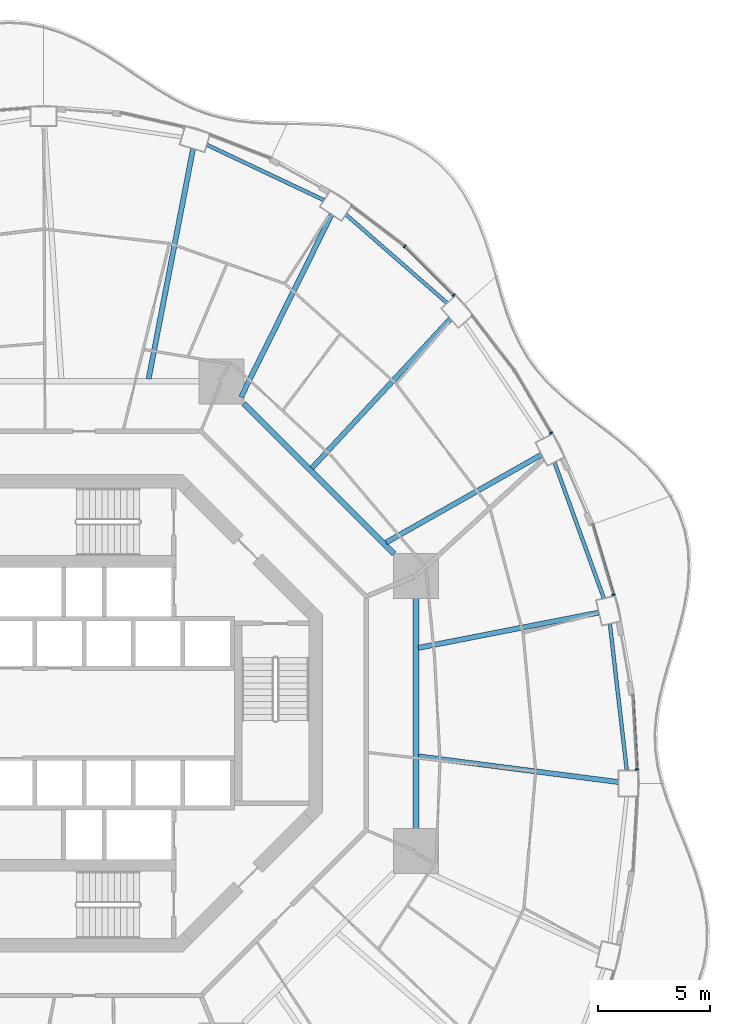
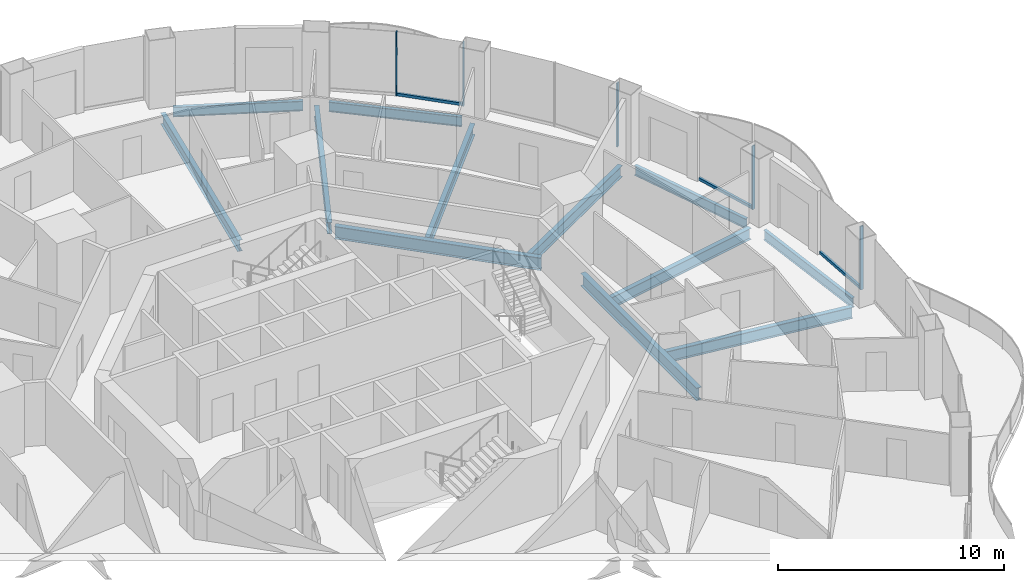
# One storey, part 9 of 21: 12 beams, 8 members, 5 elements without a shape of their own.
"""IFC4 building model written with IfcOpenShell, lengths in metres."""

from ifc_helpers import new_model, si_unit, direction, frame, origin, origin_2d, place, context, subcontext, project, spatial, rectangle, i_section, extrude, material, layer, layer_set, material_profile, profile_set, type_object, element, aggregate, save


model = new_model("IFC4")

# Units and contexts
model_context = context("Model", 3, precision=1e-05, world=origin(), true_north=direction((0.0, 1.0)))
body_context = subcontext(model_context, "Body", "Model", "MODEL_VIEW")
ifc_project = project(units=[si_unit("LENGTHUNIT", "METRE"), si_unit("AREAUNIT", "SQUARE_METRE"), si_unit("VOLUMEUNIT", "CUBIC_METRE"), si_unit("PLANEANGLEUNIT", "RADIAN"), si_unit("MASSUNIT", "GRAM", prefix="KILO")], contexts=[model_context])

# Site, building, storey
site_placement = place(None, origin())
site = spatial("IfcSite", under=ifc_project, at=site_placement, CompositionType="ELEMENT")
building_placement = place(site_placement, origin())
building = spatial("IfcBuilding", under=site, at=building_placement, Name="Nagisa Residences", CompositionType="ELEMENT")
storey_placement = place(building_placement, frame((0.0, 0.0, 134.39990234375)))
storey = spatial("IfcBuildingStorey", under=building, at=storey_placement, Name="L33", CompositionType="ELEMENT", Elevation=134.39990234375)

# Curtain wall, member
ifc_material_1 = material(Name="Concrete-coloured aluminium curtain wall system", Category="concrete")
ifc_layer = layer(ifc_material_1, 0.159912109375)
ifc_layer_set = layer_set([ifc_layer], Name="CW1 CURTAIN WALL")
curtain_wall_type = type_object("IfcCurtainWallType", Name="CW1 CURTAIN WALL", PredefinedType="NOTDEFINED", material=ifc_layer_set)
curtain_wall_1_placement = place(storey_placement, origin())
curtain_wall_1 = element("IfcCurtainWall", 1, at=curtain_wall_1_placement, inside=storey, type_object=curtain_wall_type, Name="cw:CW1:L33:00", PredefinedType="NOTDEFINED")
ifc_material_2 = material(Name="Concrete-coloured aluminium", Category="concrete")
ifc_material_profile_1 = material_profile(ifc_material_2, rectangle(XDim=0.159912109375, YDim=0.06005859375, at=origin_2d()), Name="CW1 MULLION 160x60")
ifc_profile_set_1 = profile_set([ifc_material_profile_1], Name="Concrete-coloured aluminium")
member_type_1 = type_object("IfcMemberType", Name="CW1 MULLION 160x60", PredefinedType="MULLION", material=ifc_profile_set_1)
member_1_placement = place(storey_placement, frame((24.618896484375, -2.493408203125, 0.0), z_axis=(0.0, 0.0, 1.0), x_axis=(-0.998345305184, -0.057503492216, 0.0)))
member_1 = element("IfcMember", 2, at=member_1_placement, type_object=member_type_1, Name="CW1 mullion", PredefinedType="MULLION", context=body_context, shape_type="SweptSolid", body=[
    extrude(rectangle(XDim=0.159912109375, YDim=0.06005859375, at=origin_2d()), origin(), (0.0, 0.0, 1.0), 3.440185546875),
])

curtain_wall_2_placement = place(storey_placement, origin())
curtain_wall_2 = element("IfcCurtainWall", 3, at=curtain_wall_2_placement, inside=storey, type_object=curtain_wall_type, Name="cw:CW1:L33:02", PredefinedType="NOTDEFINED")
member_2_placement = place(storey_placement, frame((23.573974609375, 5.278076171875, 0.0), z_axis=(0.0, 0.0, 1.0), x_axis=(-0.958271310082, -0.285860274038, 0.0)))
member_2 = element("IfcMember", 4, at=member_2_placement, type_object=member_type_1, Name="CW1 mullion", PredefinedType="MULLION", context=body_context, shape_type="SweptSolid", body=[
    extrude(rectangle(XDim=0.159912109375, YDim=0.06005859375, at=origin_2d()), origin(), (0.0, 0.0, 1.0), 3.440185546875),
])

curtain_wall_3_placement = place(storey_placement, origin())
curtain_wall_3 = element("IfcCurtainWall", 5, at=curtain_wall_3_placement, inside=storey, type_object=curtain_wall_type, Name="cw:CW1:L33:04", PredefinedType="NOTDEFINED")
member_3_placement = place(storey_placement, frame((20.7919921875, 12.482666015625, 0.0), z_axis=(0.0, 0.0, 1.0), x_axis=(-0.862328898214, -0.506348567002, 0.0)))
member_3 = element("IfcMember", 6, at=member_3_placement, type_object=member_type_1, Name="CW1 mullion", PredefinedType="MULLION", context=body_context, shape_type="SweptSolid", body=[
    extrude(rectangle(XDim=0.159912109375, YDim=0.06005859375, at=origin_2d()), origin(), (0.0, 0.0, 1.0), 3.440185546875),
])
aggregate(curtain_wall_3, [member_3])

curtain_wall_4_placement = place(storey_placement, origin())
curtain_wall_4 = element("IfcCurtainWall", 7, at=curtain_wall_4_placement, inside=storey, type_object=curtain_wall_type, Name="cw:CW1:L33:06", PredefinedType="NOTDEFINED")
member_4_placement = place(storey_placement, frame((16.460693359375, 18.621826171875, 0.0), z_axis=(0.0, 0.0, 1.0), x_axis=(-0.706376885714, -0.707835924016, 0.0)))
member_4 = element("IfcMember", 8, at=member_4_placement, type_object=member_type_1, Name="CW1 mullion", PredefinedType="MULLION", context=body_context, shape_type="SweptSolid", body=[
    extrude(rectangle(XDim=0.159912109375, YDim=0.06005859375, at=origin_2d()), origin(), (0.0, 0.0, 1.0), 3.440185546875),
])

curtain_wall_5_placement = place(storey_placement, origin())
curtain_wall_5 = element("IfcCurtainWall", 9, at=curtain_wall_5_placement, inside=storey, type_object=curtain_wall_type, Name="cw:CW1:L33:07", PredefinedType="NOTDEFINED")
member_5_placement = place(storey_placement, frame((14.28125, 20.7919921875, 0.0), z_axis=(0.0, 0.0, 1.0), x_axis=(-0.605255421737, -0.79603132756, 0.0)))
member_5 = element("IfcMember", 10, at=member_5_placement, type_object=member_type_1, Name="CW1 mullion", PredefinedType="MULLION", context=body_context, shape_type="SweptSolid", body=[
    extrude(rectangle(XDim=0.159912109375, YDim=0.06005859375, at=origin_2d()), origin(), (0.0, 0.0, 1.0), 3.440185546875),
])
aggregate(curtain_wall_5, [member_5])

# Member
ifc_material_3 = material(Name="Concrete-coloured aluminium", Category="concrete")
ifc_material_profile_2 = material_profile(ifc_material_3, rectangle(XDim=0.1201171875, YDim=0.14990234375, at=origin_2d()), Name="CW1 TRANSOM 120x150")
ifc_profile_set_2 = profile_set([ifc_material_profile_2], Name="Concrete-coloured aluminium")
member_type_2 = type_object("IfcMemberType", Name="CW1 TRANSOM 120x150", PredefinedType="USERDEFINED", material=ifc_profile_set_2)
member_6_placement = place(storey_placement, frame((24.62060546875, -2.523193359375, 0.0751953125), z_axis=(-0.057469329432, 0.998347272333, 0.0), x_axis=(-0.998347272333, -0.057469329432, 0.0)))
member_6 = element("IfcMember", 11, at=member_6_placement, type_object=member_type_2, Name="CW1 transom", ObjectType="TRANSOM", PredefinedType="USERDEFINED", context=body_context, shape_type="SweptSolid", body=[
    extrude(rectangle(XDim=0.1201171875, YDim=0.14990234375, at=origin_2d()), origin(), (0.0, 0.0, 1.0), 3.34765625),
])

aggregate(curtain_wall_1, [member_1, member_6])

member_7_placement = place(storey_placement, frame((23.582763671875, 5.24951171875, 0.0751953125), z_axis=(-0.285909915381, 0.958256500258, 0.0), x_axis=(-0.958256500258, -0.285909915381, 0.0)))
member_7 = element("IfcMember", 12, at=member_7_placement, type_object=member_type_2, Name="CW1 transom", ObjectType="TRANSOM", PredefinedType="USERDEFINED", context=body_context, shape_type="SweptSolid", body=[
    extrude(rectangle(XDim=0.1201171875, YDim=0.14990234375, at=origin_2d()), origin(), (0.0, 0.0, 1.0), 3.302978515625),
])

aggregate(curtain_wall_2, [member_2, member_7])

member_8_placement = place(storey_placement, frame((16.48193359375, 18.6005859375, 0.0751953125), z_axis=(-0.707857739375, 0.706355024621, 0.0), x_axis=(-0.706355024621, -0.707857739375, 0.0)))
member_8 = element("IfcMember", 13, at=member_8_placement, type_object=member_type_2, Name="CW1 transom", ObjectType="TRANSOM", PredefinedType="USERDEFINED", context=body_context, shape_type="SweptSolid", body=[
    extrude(rectangle(XDim=0.1201171875, YDim=0.14990234375, at=origin_2d()), origin(), (0.0, 0.0, 1.0), 3.0869140625),
])

aggregate(curtain_wall_4, [member_4, member_8])

# Beams
ifc_material_4 = material(Name="Steel ASTM A572 Gr 50", Category="steel")
ifc_material_profile_3 = material_profile(ifc_material_4, i_section(OverallWidth=0.25390625, OverallDepth=0.68408203125, WebThickness=0.012451171875, FlangeThickness=0.018798828125, at=origin_2d()), Name="W690x140")
ifc_profile_set_3 = profile_set([ifc_material_profile_3], Name="Steel ASTM A572 Gr 50")
beam_type_1 = type_object("IfcBeamType", Name="Inner ring beam W690x140", PredefinedType="BEAM", material=ifc_profile_set_3)
beam_1_placement = place(storey_placement, frame((13.796142578125, 7.10888671875, -0.601806640625), z_axis=(-0.707106781187, 0.707106781187, 0.0), x_axis=(-0.707106781187, -0.707106781187, 0.0)))
element("IfcBeam", 14, at=beam_1_placement, inside=storey, type_object=beam_type_1, Name="beam:L33:ib1", PredefinedType="BEAM", context=body_context, shape_type="SweptSolid", body=[
    extrude(i_section(OverallWidth=0.25390625, OverallDepth=0.68408203125, WebThickness=0.012451171875, FlangeThickness=0.018798828125, at=origin_2d()), origin(), (0.0, 0.0, 1.0), 9.457275390625),
])
beam_2_placement = place(storey_placement, frame((14.781982421875, -5.142822265625, -0.601806640625), z_axis=(0.0, 1.0, 0.0), x_axis=(-1.0, 0.0, 0.0)))
element("IfcBeam", 15, at=beam_2_placement, inside=storey, type_object=beam_type_1, Name="beam:L33:ib8", PredefinedType="BEAM", context=body_context, shape_type="SweptSolid", body=[
    extrude(i_section(OverallWidth=0.25390625, OverallDepth=0.68408203125, WebThickness=0.012451171875, FlangeThickness=0.018798828125, at=origin_2d()), origin(), (0.0, 0.0, 1.0), 10.28564453125),
])
ifc_material_5 = material(Name="Steel ASTM A572 Gr 50", Category="steel")
ifc_material_profile_4 = material_profile(ifc_material_5, i_section(OverallWidth=0.166015625, OverallDepth=0.534912109375, WebThickness=0.01025390625, FlangeThickness=0.0166015625, at=origin_2d()), Name="W530x85")
ifc_profile_set_4 = profile_set([ifc_material_profile_4], Name="Steel ASTM A572 Gr 50")
beam_type_2 = type_object("IfcBeamType", Name="Perimeter ring beam W530x85", PredefinedType="BEAM", material=ifc_profile_set_4)
beam_3_placement = place(storey_placement, frame((24.16796875, -2.53759765625, -0.52734375), z_axis=(-0.114660786771, 0.993404703017, 0.0), x_axis=(-0.993404703017, -0.114660786771, 0.0)))
element("IfcBeam", 16, at=beam_3_placement, inside=storey, type_object=beam_type_2, Name="beam:L33:pb01", PredefinedType="BEAM", context=body_context, shape_type="SweptSolid", body=[
    extrude(i_section(OverallWidth=0.166015625, OverallDepth=0.534912109375, WebThickness=0.01025390625, FlangeThickness=0.0166015625, at=origin_2d()), origin(), (0.0, 0.0, 1.0), 6.568603515625),
])
beam_4_placement = place(storey_placement, frame((23.1484375, 5.116943359375, -0.52734375), z_axis=(-0.341332802315, 0.93994250785, 0.0), x_axis=(-0.93994250785, -0.341332802315, 0.0)))
element("IfcBeam", 17, at=beam_4_placement, inside=storey, type_object=beam_type_2, Name="beam:L33:pb02", PredefinedType="BEAM", context=body_context, shape_type="SweptSolid", body=[
    extrude(i_section(OverallWidth=0.166015625, OverallDepth=0.534912109375, WebThickness=0.01025390625, FlangeThickness=0.0166015625, at=origin_2d()), origin(), (0.0, 0.0, 1.0), 6.450927734375),
])
beam_5_placement = place(storey_placement, frame((16.169189453125, 18.26513671875, -0.52734375), z_axis=(-0.752503526528, 0.658588219272, 0.0), x_axis=(-0.658588219272, -0.752503526528, 0.0)))
element("IfcBeam", 18, at=beam_5_placement, inside=storey, type_object=beam_type_2, Name="beam:L33:pb04", PredefinedType="BEAM", context=body_context, shape_type="SweptSolid", body=[
    extrude(i_section(OverallWidth=0.166015625, OverallDepth=0.534912109375, WebThickness=0.01025390625, FlangeThickness=0.0166015625, at=origin_2d()), origin(), (0.0, 0.0, 1.0), 5.99462890625),
])
beam_6_placement = place(storey_placement, frame((10.687744140625, 22.84912109375, -0.52734375), z_axis=(-0.904169699539, 0.427173447719, 0.0), x_axis=(-0.427173447719, -0.904169699539, 0.0)))
element("IfcBeam", 19, at=beam_6_placement, inside=storey, type_object=beam_type_2, Name="beam:L33:pb05", PredefinedType="BEAM", context=body_context, shape_type="SweptSolid", body=[
    extrude(i_section(OverallWidth=0.166015625, OverallDepth=0.534912109375, WebThickness=0.01025390625, FlangeThickness=0.0166015625, at=origin_2d()), origin(), (0.0, 0.0, 1.0), 5.7724609375),
])
ifc_material_6 = material(Name="Steel ASTM A572 Gr 50", Category="steel")
ifc_material_profile_5 = material_profile(ifc_material_6, i_section(OverallWidth=0.22900390625, OverallDepth=0.612060546875, WebThickness=0.011962890625, FlangeThickness=0.01953125, at=origin_2d()), Name="W610x125")
ifc_profile_set_5 = profile_set([ifc_material_profile_5], Name="Steel ASTM A572 Gr 50")
beam_type_3 = type_object("IfcBeamType", Name="Radial beam W610x125", PredefinedType="BEAM", material=ifc_profile_set_5)
beam_7_placement = place(storey_placement, frame((23.804931640625, -3.062255859375, -0.56591796875), z_axis=(-0.991829934558, 0.127567162371, 0.0), x_axis=(-0.127567162371, -0.991829934558, 0.0)))
element("IfcBeam", 20, at=beam_7_placement, inside=storey, type_object=beam_type_3, Name="beam:L33:rb01", PredefinedType="BEAM", context=body_context, shape_type="SweptSolid", body=[
    extrude(i_section(OverallWidth=0.22900390625, OverallDepth=0.612060546875, WebThickness=0.011962890625, FlangeThickness=0.01953125, at=origin_2d()), origin(), (0.0, 0.0, 1.0), 8.9892578125),
])
beam_8_placement = place(storey_placement, frame((22.925537109375, 4.4853515625, -0.56591796875), z_axis=(-0.981393143406, -0.192009109355, 0.0), x_axis=(0.192009109355, -0.981393143406, 0.0)))
element("IfcBeam", 21, at=beam_8_placement, inside=storey, type_object=beam_type_3, Name="beam:L33:rb02", PredefinedType="BEAM", context=body_context, shape_type="SweptSolid", body=[
    extrude(i_section(OverallWidth=0.22900390625, OverallDepth=0.612060546875, WebThickness=0.011962890625, FlangeThickness=0.01953125, at=origin_2d()), origin(), (0.0, 0.0, 1.0), 8.1884765625),
])
beam_9_placement = place(storey_placement, frame((20.372314453125, 11.51806640625, -0.56591796875), z_axis=(-0.870505636565, -0.492158446751, 0.0), x_axis=(0.492158446751, -0.870505636565, 0.0)))
element("IfcBeam", 22, at=beam_9_placement, inside=storey, type_object=beam_type_3, Name="beam:L33:rb03", PredefinedType="BEAM", context=body_context, shape_type="SweptSolid", body=[
    extrude(i_section(OverallWidth=0.22900390625, OverallDepth=0.612060546875, WebThickness=0.011962890625, FlangeThickness=0.01953125, at=origin_2d()), origin(), (0.0, 0.0, 1.0), 7.949951171875),
])
beam_10_placement = place(storey_placement, frame((16.315185546875, 17.56298828125, -0.56591796875), z_axis=(-0.680605908425, -0.7326497099, 0.0), x_axis=(0.7326497099, -0.680605908425, 0.0)))
element("IfcBeam", 23, at=beam_10_placement, inside=storey, type_object=beam_type_3, Name="beam:L33:rb04", PredefinedType="BEAM", context=body_context, shape_type="SweptSolid", body=[
    extrude(i_section(OverallWidth=0.22900390625, OverallDepth=0.612060546875, WebThickness=0.011962890625, FlangeThickness=0.01953125, at=origin_2d()), origin(), (0.0, 0.0, 1.0), 9.072509765625),
])
beam_11_placement = place(storey_placement, frame((11.02490234375, 22.2109375, -0.56591796875), z_axis=(-0.444599872799, -0.895729285614, 0.0), x_axis=(0.895729285614, -0.444599872799, 0.0)))
element("IfcBeam", 24, at=beam_11_placement, inside=storey, type_object=beam_type_3, Name="beam:L33:rb05", PredefinedType="BEAM", context=body_context, shape_type="SweptSolid", body=[
    extrude(i_section(OverallWidth=0.22900390625, OverallDepth=0.612060546875, WebThickness=0.011962890625, FlangeThickness=0.01953125, at=origin_2d()), origin(), (0.0, 0.0, 1.0), 9.085693359375),
])
beam_12_placement = place(storey_placement, frame((4.8564453125, 25.140869140625, -0.56591796875), z_axis=(-0.189659094365, -0.981850002762, 0.0), x_axis=(0.981850002762, -0.189659094365, 0.0)))
element("IfcBeam", 25, at=beam_12_placement, inside=storey, type_object=beam_type_3, Name="beam:L33:rb06", PredefinedType="BEAM", context=body_context, shape_type="SweptSolid", body=[
    extrude(i_section(OverallWidth=0.22900390625, OverallDepth=0.612060546875, WebThickness=0.011962890625, FlangeThickness=0.01953125, at=origin_2d()), origin(), (0.0, 0.0, 1.0), 10.44091796875),
])

save(model, "model.ifc")
